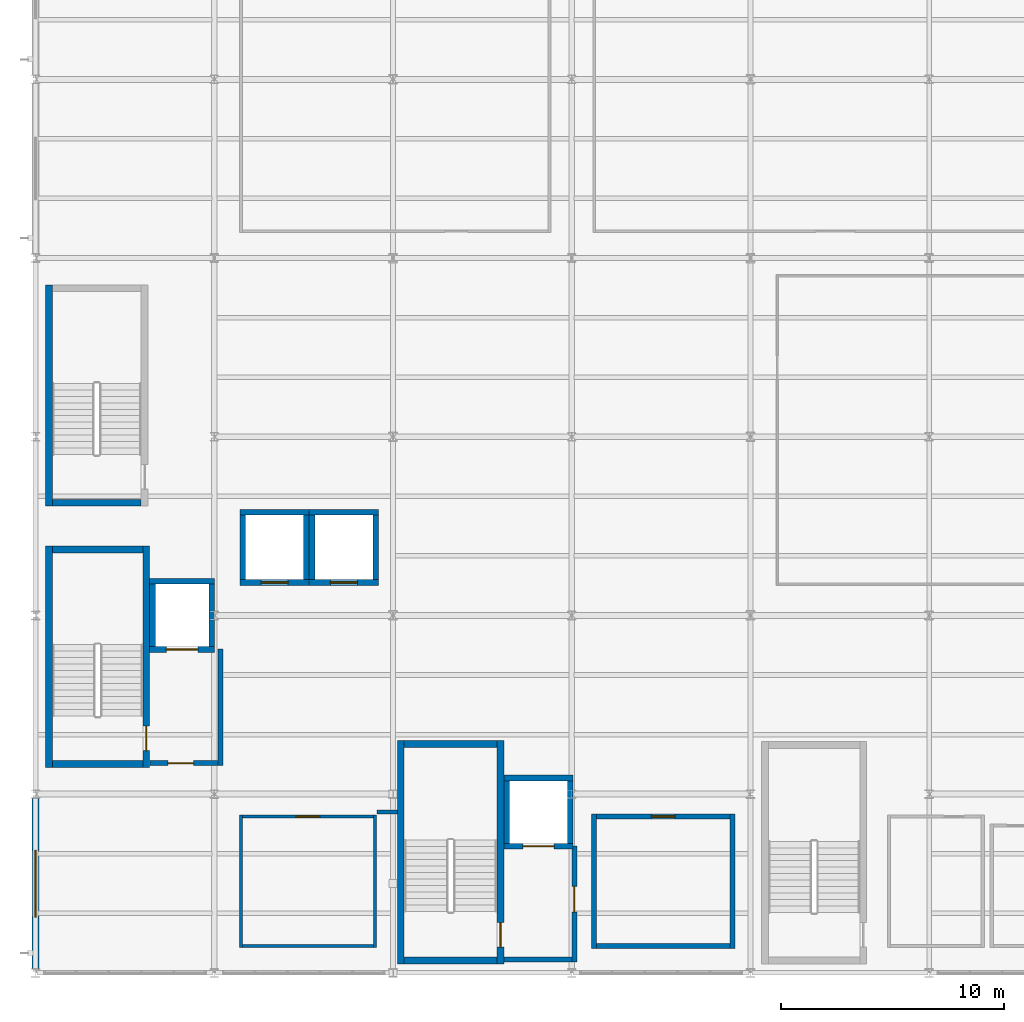
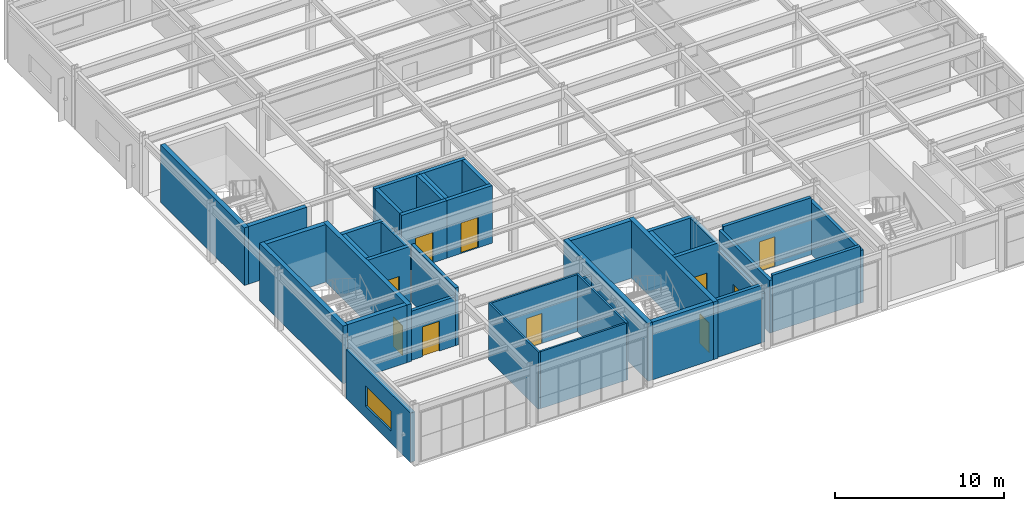
# One storey, part 54 of 83: 40 walls, 10 doors, 1 window, 11 openings.
"""IFC4 building model written with IfcOpenShell, lengths in metres."""

import ifcopenshell
import ifcopenshell.guid

model = None  # the IFC model being written
_history = None  # IfcOwnerHistory: only IFC2X3 demands one
_inside = {}  # id of a spatial element -> (the spatial element, [elements in it])
_under = {}  # id of a project, library or spatial element -> (it, [spatial elements below it])
_declared = {}  # id of a project -> (the project, [libraries it declares])
_typed = {}  # id of a type object -> (the type object, [elements of that type])
_made_of = {}  # id of a material, layer set ... -> (it, [elements and type objects made of it])


def new_model(schema):
    """Start an empty IFC model of exactly this schema.

    Asked for "IFC4X3", IfcOpenShell would pick the latest addendum, in which some entities
    have other attributes; the version numbers below select the first issue.
    IFC2X3 requires an IfcOwnerHistory on every rooted entity: one is made here for all.
    """
    global model, _history
    if schema == "IFC4X3":
        model = ifcopenshell.file(schema_version=(4, 3, 0, 0))
    else:
        model = ifcopenshell.file(schema=schema)
    _inside.clear()
    _under.clear()
    _declared.clear()
    _typed.clear()
    _made_of.clear()
    _history = None
    if model.schema == "IFC2X3":
        org = make("IfcOrganization", Name="unknown")
        user = make(
            "IfcPersonAndOrganization",
            ThePerson=make("IfcPerson", FamilyName="unknown"),
            TheOrganization=org,
        )
        app = make(
            "IfcApplication",
            ApplicationDeveloper=org,
            Version="unknown",
            ApplicationFullName="unknown",
            ApplicationIdentifier="unknown",
        )
        _history = make(
            "IfcOwnerHistory",
            OwningUser=user,
            OwningApplication=app,
            ChangeAction="ADDED",
            CreationDate=0,
        )
    return model


def make(cls, **values):
    """One entity of the class cls with the attributes given. An attribute that is None is left unset."""
    return model.create_entity(
        cls, **{name: value for name, value in values.items() if value is not None}
    )


def rooted(cls, **values):
    """An entity with a GlobalId (a new one), such as an element, a storey or a relation."""
    return make(cls, GlobalId=ifcopenshell.guid.new(), OwnerHistory=_history, **values)


def si_unit(unit_type, name, prefix=None):
    """IfcSIUnit, for example si_unit("LENGTHUNIT", "METRE", prefix="MILLI")."""
    return make("IfcSIUnit", UnitType=unit_type, Prefix=prefix, Name=name)


def assignment(units):
    """IfcUnitAssignment: the units of a project."""
    return None if units is None else make("IfcUnitAssignment", Units=units)


def point(xyz):
    """IfcCartesianPoint."""
    return None if xyz is None else make("IfcCartesianPoint", Coordinates=xyz)


def direction(xyz):
    """IfcDirection."""
    return None if xyz is None else make("IfcDirection", DirectionRatios=xyz)


def frame(location, z_axis=None, x_axis=None):
    """IfcAxis2Placement3D, a coordinate frame: its origin and axes. An axis left out is left unset."""
    return make(
        "IfcAxis2Placement3D",
        Location=point(location),
        Axis=direction(z_axis),
        RefDirection=direction(x_axis),
    )


def frame_2d(location, x_axis=None):
    """IfcAxis2Placement2D, a coordinate frame in the plane: its origin and x axis."""
    return make(
        "IfcAxis2Placement2D", Location=point(location), RefDirection=direction(x_axis)
    )


def origin():
    """The frame at (0, 0, 0) with its axes left unset."""
    return frame((0.0, 0.0, 0.0))


def place(relative_to, where):
    """IfcLocalPlacement: puts the frame where relative to a parent placement (None: the world)."""
    return make(
        "IfcLocalPlacement", PlacementRelTo=relative_to, RelativePlacement=where
    )


def context(
    kind, dimensions, precision=None, world=None, true_north=None, identifier=None
):
    """IfcGeometricRepresentationContext, for example the 3D "Model" context."""
    return make(
        "IfcGeometricRepresentationContext",
        ContextIdentifier=identifier,
        ContextType=kind,
        CoordinateSpaceDimension=dimensions,
        Precision=precision,
        WorldCoordinateSystem=world,
        TrueNorth=true_north,
    )


def subcontext(parent, identifier, kind, view, scale=None):
    """IfcGeometricRepresentationSubContext, for example "Body" below "Model"."""
    return make(
        "IfcGeometricRepresentationSubContext",
        ContextIdentifier=identifier,
        ContextType=kind,
        ParentContext=parent,
        TargetScale=scale,
        TargetView=view,
    )


def project(units=None, contexts=None):
    """IfcProject with its units and contexts."""
    return rooted(
        "IfcProject",
        Name="project",
        RepresentationContexts=contexts,
        UnitsInContext=assignment(units),
    )


def spatial(cls, under=None, at=None, **own):
    """A site, building, storey or space (cls), placed at a placement, below another one or the project."""
    s = rooted(cls, ObjectPlacement=at, **own)
    if under is not None:
        _under.setdefault(under.id(), (under, []))[1].append(s)
    return s


def profile(cls, at=None, kind="AREA", **sizes):
    """A parametric profile (cls). Its sizes go by their IFC names, for example OverallWidth=200.0."""
    return make(cls, ProfileType=kind, Position=at, **sizes)


def rectangle(**sizes):
    """IfcRectangleProfileDef."""
    return profile("IfcRectangleProfileDef", **sizes)


def extrude(swept, where, along, depth):
    """IfcExtrudedAreaSolid: the profile swept, set in the frame where, extruded along a direction by depth."""
    return make(
        "IfcExtrudedAreaSolid",
        SweptArea=swept,
        Position=where,
        ExtrudedDirection=direction(along),
        Depth=depth,
    )


def shape(context_of_items, identifier, shape_type, items):
    """IfcShapeRepresentation: the items that make up one representation, for example the "Body"."""
    return make(
        "IfcShapeRepresentation",
        ContextOfItems=context_of_items,
        RepresentationIdentifier=identifier,
        RepresentationType=shape_type,
        Items=items,
    )


def material(Name=None, Category=None):
    """IfcMaterial."""
    return make("IfcMaterial", Name=Name, Category=Category)


def layer(
    of_material, thickness, ventilated=None, Name=None, Category=None, Priority=None
):
    """IfcMaterialLayer: one layer of a wall or slab, of a material (None: an air gap)."""
    return make(
        "IfcMaterialLayer",
        Material=of_material,
        LayerThickness=thickness,
        IsVentilated=ventilated,
        Name=Name,
        Category=Category,
        Priority=Priority,
    )


def layer_set(layers, Name=None):
    """IfcMaterialLayerSet."""
    return make("IfcMaterialLayerSet", MaterialLayers=layers, LayerSetName=Name)


def made_of(thing, what):
    """Note that an element or type object is made of a material, layer set ...; save() writes the relation."""
    if what is not None:
        _made_of.setdefault(what.id(), (what, []))[1].append(thing)
    return thing


def type_object(cls, material=None, **own):
    """A type object (cls), such as IfcWallType, which elements share."""
    return made_of(rooted(cls, **own), material)


def element(
    cls,
    number,
    at=None,
    inside=None,
    cuts=None,
    type_object=None,
    material=None,
    context=None,
    identifier="Body",
    shape_type=None,
    held_by="IfcProductDefinitionShape",
    body=None,
    shapes=None,
    **own,
):
    """One element of the class cls, such as IfcWall. Its Tag is "e" and its number.

    at: its placement. inside: the storey or other place that contains it. cuts: it is an
    opening in that element (IfcRelVoidsElement). A single representation is given by context,
    identifier, shape_type and body (its items); several are given by shapes. held_by: the class
    of the entity that holds the representations. save() writes the other relations.
    """
    e = rooted(cls, Tag="e%d" % number, ObjectPlacement=at, **own)
    if body is not None:
        shapes = [shape(context, identifier, shape_type, body)]
    if shapes is not None:
        e.Representation = make(held_by, Representations=shapes)
    if inside is not None:
        _inside.setdefault(inside.id(), (inside, []))[1].append(e)
    if cuts is not None:
        rooted(
            "IfcRelVoidsElement", RelatingBuildingElement=cuts, RelatedOpeningElement=e
        )
    if type_object is not None:
        _typed.setdefault(type_object.id(), (type_object, []))[1].append(e)
    return made_of(e, material)


def fill(opening, filler):
    """IfcRelFillsElement: the door or window that sits in an opening."""
    return rooted(
        "IfcRelFillsElement",
        RelatingOpeningElement=opening,
        RelatedBuildingElement=filler,
    )


def aggregate(whole, parts):
    """IfcRelAggregates: a whole, such as a stair, and the parts it consists of."""
    return rooted("IfcRelAggregates", RelatingObject=whole, RelatedObjects=parts)


def save(model, path):
    """Write the relations noted so far, then the file.

    IfcRelAggregates (storeys below a building ...), IfcRelContainedInSpatialStructure (elements
    in a storey), IfcRelDefinesByType, IfcRelAssociatesMaterial and IfcRelDeclares: one each for
    every whole, place, type object, material and project.
    """
    for whole, parts in _under.values():
        aggregate(whole, parts)
    for where, things in _inside.values():
        rooted(
            "IfcRelContainedInSpatialStructure",
            RelatedElements=things,
            RelatingStructure=where,
        )
    for kind, things in _typed.values():
        rooted("IfcRelDefinesByType", RelatedObjects=things, RelatingType=kind)
    for what, things in _made_of.values():
        rooted("IfcRelAssociatesMaterial", RelatedObjects=things, RelatingMaterial=what)
    for by, libraries in _declared.values():
        rooted("IfcRelDeclares", RelatingContext=by, RelatedDefinitions=libraries)
    model.write(path)


model = new_model("IFC4")

# Units and contexts
model_context = context("Model", 3, precision=1e-05, world=origin(), true_north=direction((0.0, 1.0)))
body_context = subcontext(model_context, "Body", "Model", "MODEL_VIEW")
ifc_project = project(units=[si_unit("LENGTHUNIT", "METRE"), si_unit("AREAUNIT", "SQUARE_METRE"), si_unit("VOLUMEUNIT", "CUBIC_METRE"), si_unit("PLANEANGLEUNIT", "RADIAN"), si_unit("MASSUNIT", "GRAM", prefix="KILO")], contexts=[model_context])

# Site, building, storey
site_placement = place(None, origin())
site = spatial("IfcSite", under=ifc_project, at=site_placement, CompositionType="ELEMENT")
building_placement = place(site_placement, origin())
building = spatial("IfcBuilding", under=site, at=building_placement, Name="Drelvath Fold Interchange", CompositionType="ELEMENT")
storey_placement = place(building_placement, frame((0.0, 0.0, 11.199951171875)))
storey = spatial("IfcBuildingStorey", under=building, at=storey_placement, Name="L02", CompositionType="ELEMENT", Elevation=11.199951171875)

# Wall
ifc_material_1 = material(Name="Concrete f'c 45 MPa (6500 psi)", Category="concrete")
ifc_layer_1 = layer(ifc_material_1, 0.300048828125, Name="Concrete f'c 45 MPa (6500 psi)")
ifc_layer_set_1 = layer_set([ifc_layer_1], Name="Concrete f'c 45 MPa (6500 psi)")
wall_type_1 = type_object("IfcWallType", Name="WL-CR300", PredefinedType="SHEAR", material=ifc_layer_set_1)
wall_1_placement = place(storey_placement, frame((4.75, 12.35009765625, 0.0), z_axis=(0.0, 0.0, 1.0), x_axis=(1.0, 0.0, 0.0)))
element("IfcWall", 1, at=wall_1_placement, inside=storey, type_object=wall_type_1, Name="ST-01 L02 south core wall", PredefinedType="SHEAR", context=body_context, shape_type="SweptSolid", body=[
    extrude(rectangle(XDim=4.06005859375, YDim=0.300048828125, at=frame_2d((2.030029296875, 0.0))), origin(), (0.0, 0.0, 1.0), 4.1650390625),
])

# Wall, opening, door
wall_2_placement = place(storey_placement, frame((8.9599609375, 12.199951171875, 0.0), z_axis=(0.0, 0.0, 1.0), x_axis=(0.0, 1.0, 0.0)))
wall_2 = element("IfcWall", 2, at=wall_2_placement, inside=storey, type_object=wall_type_1, Name="ST-01 L02 east core wall", PredefinedType="SHEAR", context=body_context, shape_type="SweptSolid", body=[
    extrude(rectangle(XDim=9.900146484375, YDim=0.300048828125, at=frame_2d((4.9501953125, 0.0))), origin(), (0.0, 0.0, 1.0), 4.1650390625),
])
opening_1_placement = place(wall_2_placement, frame((0.75, 0.0, 0.0)))
opening_1 = element("IfcOpeningElement", 3, at=opening_1_placement, cuts=wall_2, Name="Opening D-L02-005", PredefinedType="OPENING", context=body_context, shape_type="SweptSolid", body=[
    extrude(rectangle(XDim=1.10009765625, YDim=2.14990234375, at=frame_2d((0.550048828125, 1.074951171875))), frame((0.0, 0.159912109375, 0.0), z_axis=(0.0, -1.0, 0.0), x_axis=(1.0, 0.0, 0.0)), (0.0, 0.0, 1.0), 0.320068359375),
])
ifc_material_2 = material(Name="Insulated Hollow Metal Door Assembly")
door_type_1 = type_object("IfcDoorType", Name="DR-ST1100", OperationType="NOTDEFINED", PredefinedType="DOOR", material=ifc_material_2)
door_1_placement = place(opening_1_placement, origin())
door_1 = element("IfcDoor", 4, at=door_1_placement, inside=storey, type_object=door_type_1, Name="ST-01 L02 stair fire door D-L02-005", OperationType="SINGLE_SWING_LEFT", OverallHeight=2.14990234375, OverallWidth=1.10009765625, PredefinedType="DOOR", context=body_context, shape_type="SweptSolid", body=[
    extrude(rectangle(XDim=1.10009765625, YDim=2.14990234375, at=frame_2d((0.550048828125, 1.074951171875))), frame((0.0, 0.02490234375, 0.0), z_axis=(0.0, -1.0, 0.0), x_axis=(1.0, 0.0, 0.0)), (0.0, 0.0, 1.0), 0.050048828125),
])
fill(opening_1, door_1)

# Walls
wall_3_placement = place(storey_placement, frame((8.81005859375, 21.949951171875, 0.0), z_axis=(0.0, 0.0, 1.0), x_axis=(-1.0, 0.0, 0.0)))
element("IfcWall", 5, at=wall_3_placement, inside=storey, type_object=wall_type_1, Name="ST-01 L02 north core wall", PredefinedType="SHEAR", context=body_context, shape_type="SweptSolid", body=[
    extrude(rectangle(XDim=4.06005859375, YDim=0.300048828125, at=frame_2d((2.030029296875, 0.0))), origin(), (0.0, 0.0, 1.0), 4.1650390625),
])
wall_4_placement = place(storey_placement, frame((4.60009765625, 22.10009765625, 0.0), z_axis=(0.0, 0.0, 1.0), x_axis=(0.0, -1.0, 0.0)))
element("IfcWall", 6, at=wall_4_placement, inside=storey, type_object=wall_type_1, Name="ST-01 L02 west core wall", PredefinedType="SHEAR", context=body_context, shape_type="SweptSolid", body=[
    extrude(rectangle(XDim=9.900146484375, YDim=0.300048828125, at=frame_2d((4.9501953125, 0.0))), origin(), (0.0, 0.0, 1.0), 4.1650390625),
])
wall_5_placement = place(storey_placement, frame((4.75, 24.050048828125, 0.0), z_axis=(0.0, 0.0, 1.0), x_axis=(1.0, 0.0, 0.0)))
element("IfcWall", 7, at=wall_5_placement, inside=storey, type_object=wall_type_1, Name="ST-02 L02 south core wall", PredefinedType="SHEAR", context=body_context, shape_type="SweptSolid", body=[
    extrude(rectangle(XDim=3.97998046875, YDim=0.300048828125, at=frame_2d((1.989990234375, 0.0))), origin(), (0.0, 0.0, 1.0), 4.1650390625),
])
wall_6_placement = place(storey_placement, frame((4.60009765625, 33.800048828125, 0.0), z_axis=(0.0, 0.0, 1.0), x_axis=(0.0, -1.0, 0.0)))
element("IfcWall", 8, at=wall_6_placement, inside=storey, type_object=wall_type_1, Name="ST-02 L02 west core wall", PredefinedType="SHEAR", context=body_context, shape_type="SweptSolid", body=[
    extrude(rectangle(XDim=9.900146484375, YDim=0.300048828125, at=frame_2d((4.9501953125, 0.0))), origin(), (0.0, 0.0, 1.0), 4.1650390625),
])
wall_7_placement = place(storey_placement, frame((20.5, 3.550048828125, 0.0), z_axis=(0.0, 0.0, 1.0), x_axis=(1.0, 0.0, 0.0)))
element("IfcWall", 9, at=wall_7_placement, inside=storey, type_object=wall_type_1, Name="ST-03 L02 south core wall", PredefinedType="SHEAR", context=body_context, shape_type="SweptSolid", body=[
    extrude(rectangle(XDim=4.159912109375, YDim=0.300048828125, at=frame_2d((2.080078125, 0.0))), origin(), (0.0, 0.0, 1.0), 4.1650390625),
])

# Wall, opening, door
wall_8_placement = place(storey_placement, frame((24.81005859375, 3.39990234375, 0.0), z_axis=(0.0, 0.0, 1.0), x_axis=(0.0, 1.0, 0.0)))
wall_8 = element("IfcWall", 10, at=wall_8_placement, inside=storey, type_object=wall_type_1, Name="ST-03 L02 east core wall", PredefinedType="SHEAR", context=body_context, shape_type="SweptSolid", body=[
    extrude(rectangle(XDim=10.0, YDim=0.300048828125, at=frame_2d((5.0, 0.0))), origin(), (0.0, 0.0, 1.0), 4.1650390625),
])
opening_2_placement = place(wall_8_placement, frame((0.75, 0.0, 0.0)))
opening_2 = element("IfcOpeningElement", 11, at=opening_2_placement, cuts=wall_8, Name="Opening D-L02-021", PredefinedType="OPENING", context=body_context, shape_type="SweptSolid", body=[
    extrude(rectangle(XDim=1.10009765625, YDim=2.14990234375, at=frame_2d((0.550048828125, 1.074951171875))), frame((0.0, 0.159912109375, 0.0), z_axis=(0.0, -1.0, 0.0), x_axis=(1.0, 0.0, 0.0)), (0.0, 0.0, 1.0), 0.320068359375),
])
door_2_placement = place(opening_2_placement, origin())
door_2 = element("IfcDoor", 12, at=door_2_placement, inside=storey, type_object=door_type_1, Name="ST-03 L02 stair fire door D-L02-021", OperationType="SINGLE_SWING_LEFT", OverallHeight=2.14990234375, OverallWidth=1.10009765625, PredefinedType="DOOR", context=body_context, shape_type="SweptSolid", body=[
    extrude(rectangle(XDim=1.10009765625, YDim=2.14990234375, at=frame_2d((0.550048828125, 1.074951171875))), frame((0.0, 0.02490234375, 0.0), z_axis=(0.0, -1.0, 0.0), x_axis=(1.0, 0.0, 0.0)), (0.0, 0.0, 1.0), 0.050048828125),
])
fill(opening_2, door_2)

# Walls
wall_9_placement = place(storey_placement, frame((24.659912109375, 13.25, 0.0), z_axis=(0.0, 0.0, 1.0), x_axis=(-1.0, 0.0, 0.0)))
element("IfcWall", 13, at=wall_9_placement, inside=storey, type_object=wall_type_1, Name="ST-03 L02 north core wall", PredefinedType="SHEAR", context=body_context, shape_type="SweptSolid", body=[
    extrude(rectangle(XDim=4.159912109375, YDim=0.300048828125, at=frame_2d((2.080078125, 0.0))), origin(), (0.0, 0.0, 1.0), 4.1650390625),
])
wall_10_placement = place(storey_placement, frame((20.35009765625, 13.39990234375, 0.0), z_axis=(0.0, 0.0, 1.0), x_axis=(0.0, -1.0, 0.0)))
element("IfcWall", 14, at=wall_10_placement, inside=storey, type_object=wall_type_1, Name="ST-03 L02 west core wall", PredefinedType="SHEAR", context=body_context, shape_type="SweptSolid", body=[
    extrude(rectangle(XDim=10.0, YDim=0.300048828125, at=frame_2d((5.0, 0.0))), origin(), (0.0, 0.0, 1.0), 4.1650390625),
])

# Wall, opening, window
ifc_material_3 = material(Name="Precast concrete f'c 40 MPa (6000 psi)", Category="concrete")
ifc_layer_2 = layer(ifc_material_3, 0.31494140625, Name="Precast concrete f'c 40 MPa (6000 psi)")
ifc_layer_set_2 = layer_set([ifc_layer_2], Name="Precast concrete f'c 40 MPa (6000 psi)")
wall_type_2 = type_object("IfcWallType", Name="WL-EXT315", PredefinedType="SOLIDWALL", material=ifc_layer_set_2)
wall_11_placement = place(storey_placement, frame((4.0, 3.19189453125, 0.0), z_axis=(0.0, 0.0, 1.0), x_axis=(0.0, 1.0, 0.0)))
wall_11 = element("IfcWall", 15, at=wall_11_placement, inside=storey, type_object=wall_type_2, Name="L02 exterior facade wall 59", PredefinedType="SOLIDWALL", context=body_context, shape_type="SweptSolid", body=[
    extrude(rectangle(XDim=7.614990234375, YDim=0.31494140625, at=frame_2d((3.8076171875, 0.0))), origin(), (0.0, 0.0, 1.0), 3.550048828125),
])
opening_3_placement = place(wall_11_placement, frame((2.30810546875, 0.0, 0.85009765625)))
opening_3 = element("IfcOpeningElement", 16, at=opening_3_placement, cuts=wall_11, Name="Opening W-L02-053", PredefinedType="OPENING", context=body_context, shape_type="SweptSolid", body=[
    extrude(rectangle(XDim=3.0, YDim=1.449951171875, at=frame_2d((1.5, 0.72509765625))), frame((0.0, 0.16748046875, 0.0), z_axis=(0.0, -1.0, 0.0), x_axis=(1.0, 0.0, 0.0)), (0.0, 0.0, 1.0), 0.3349609375),
])
ifc_material_4 = material(Name="Low-Iron Insulated Laminated Glass", Category="glass")
window_type = type_object("IfcWindowType", Name="WN-300x145", PartitioningType="TRIPLE_PANEL_VERTICAL", PredefinedType="WINDOW", material=ifc_material_4)
window_placement = place(opening_3_placement, origin())
window = element("IfcWindow", 17, at=window_placement, inside=storey, type_object=window_type, Name="Facade window W-L02-053", OverallHeight=1.449951171875, OverallWidth=3.0, PartitioningType="SINGLE_PANEL", PredefinedType="WINDOW", context=body_context, shape_type="SweptSolid", body=[
    extrude(rectangle(XDim=3.0, YDim=1.449951171875, at=frame_2d((1.5, 0.72509765625))), frame((0.0, 0.030029296875, 0.0), z_axis=(0.0, -1.0, 0.0), x_axis=(1.0, 0.0, 0.0)), (0.0, 0.0, 1.0), 0.06005859375),
])
fill(opening_3, window)

# Wall, opening, door
ifc_layer_3 = layer(ifc_material_1, 0.219970703125, Name="Concrete f'c 45 MPa (6500 psi)")
ifc_layer_set_3 = layer_set([ifc_layer_3], Name="Concrete f'c 45 MPa (6500 psi)")
wall_type_3 = type_object("IfcWallType", Name="WL-FF220", PredefinedType="SOLIDWALL", material=ifc_layer_set_3)
wall_12_placement = place(storey_placement, frame((9.1201171875, 12.389892578125, 0.0), z_axis=(0.0, 0.0, 1.0), x_axis=(1.0, 0.0, 0.0)))
wall_12 = element("IfcWall", 18, at=wall_12_placement, inside=storey, type_object=wall_type_3, Name="Firefighting Lift Lobby FF-1 L02 south rated wall", PredefinedType="SOLIDWALL", context=body_context, shape_type="SweptSolid", body=[
    extrude(rectangle(XDim=3.039794921875, YDim=0.219970703125, at=frame_2d((1.52001953125, 0.0))), origin(), (0.0, 0.0, 1.0), 3.547119140625),
])
opening_4_placement = place(wall_12_placement, frame((0.804931640625, 0.0, 0.0)))
opening_4 = element("IfcOpeningElement", 19, at=opening_4_placement, cuts=wall_12, Name="Opening D-L02-052", PredefinedType="OPENING", context=body_context, shape_type="SweptSolid", body=[
    extrude(rectangle(XDim=1.14990234375, YDim=2.14990234375, at=frame_2d((0.574951171875, 1.074951171875))), frame((0.0, 0.119873046875, 0.0), z_axis=(0.0, -1.0, 0.0), x_axis=(1.0, 0.0, 0.0)), (0.0, 0.0, 1.0), 0.239990234375),
])
door_type_2 = type_object("IfcDoorType", Name="DR-FF1150", OperationType="NOTDEFINED", PredefinedType="DOOR", material=ifc_material_2)
door_3_placement = place(opening_4_placement, frame((1.14990234375, 0.0, 0.0), z_axis=(0.0, 0.0, 1.0), x_axis=(-1.0, 0.0, 0.0)))
door_3 = element("IfcDoor", 20, at=door_3_placement, inside=storey, type_object=door_type_2, Name="Firefighting Lift Lobby FF-1 L02 corridor fire door D-L02-052", OperationType="SINGLE_SWING_RIGHT", OverallHeight=2.14990234375, OverallWidth=1.14990234375, PredefinedType="DOOR", context=body_context, shape_type="SweptSolid", body=[
    extrude(rectangle(XDim=1.14990234375, YDim=2.14990234375, at=frame_2d((0.574951171875, 1.074951171875))), frame((0.0, 0.02490234375, 0.0), z_axis=(0.0, -1.0, 0.0), x_axis=(1.0, 0.0, 0.0)), (0.0, 0.0, 1.0), 0.050048828125),
])
fill(opening_4, door_3)

# Walls
wall_13_placement = place(storey_placement, frame((12.27001953125, 12.280029296875, 0.0), z_axis=(0.0, 0.0, 1.0), x_axis=(0.0, 1.0, 0.0)))
element("IfcWall", 21, at=wall_13_placement, inside=storey, type_object=wall_type_3, Name="Firefighting Lift Lobby FF-1 L02 east rated wall", PredefinedType="SOLIDWALL", context=body_context, shape_type="SweptSolid", body=[
    extrude(rectangle(XDim=5.2099609375, YDim=0.219970703125, at=frame_2d((2.60498046875, 0.0))), origin(), (0.0, 0.0, 1.0), 4.1650390625),
])
wall_14_placement = place(storey_placement, frame((24.969970703125, 3.590087890625, 0.0), z_axis=(0.0, 0.0, 1.0), x_axis=(1.0, 0.0, 0.0)))
element("IfcWall", 22, at=wall_14_placement, inside=storey, type_object=wall_type_3, Name="Firefighting Lift Lobby FF-2 L02 south rated wall", PredefinedType="SOLIDWALL", context=body_context, shape_type="SweptSolid", body=[
    extrude(rectangle(XDim=3.0400390625, YDim=0.219970703125, at=frame_2d((1.52001953125, 0.0))), origin(), (0.0, 0.0, 1.0), 4.1650390625),
])

# Wall, opening, door
wall_15_placement = place(storey_placement, frame((28.1201171875, 3.47998046875, 0.0), z_axis=(0.0, 0.0, 1.0), x_axis=(0.0, 1.0, 0.0)))
wall_15 = element("IfcWall", 23, at=wall_15_placement, inside=storey, type_object=wall_type_3, Name="Firefighting Lift Lobby FF-2 L02 east rated wall", PredefinedType="SOLIDWALL", context=body_context, shape_type="SweptSolid", body=[
    extrude(rectangle(XDim=5.2099609375, YDim=0.219970703125, at=frame_2d((2.60498046875, 0.0))), origin(), (0.0, 0.0, 1.0), 3.547119140625),
])
opening_5_placement = place(wall_15_placement, frame((2.2451171875, 0.0, 0.0)))
opening_5 = element("IfcOpeningElement", 24, at=opening_5_placement, cuts=wall_15, Name="Opening D-L02-060", PredefinedType="OPENING", context=body_context, shape_type="SweptSolid", body=[
    extrude(rectangle(XDim=1.14990234375, YDim=2.14990234375, at=frame_2d((0.574951171875, 1.074951171875))), frame((0.0, 0.119873046875, 0.0), z_axis=(0.0, -1.0, 0.0), x_axis=(1.0, 0.0, 0.0)), (0.0, 0.0, 1.0), 0.239990234375),
])
door_4_placement = place(opening_5_placement, origin())
door_4 = element("IfcDoor", 25, at=door_4_placement, inside=storey, type_object=door_type_2, Name="Firefighting Lift Lobby FF-2 L02 corridor fire door D-L02-060", OperationType="SINGLE_SWING_RIGHT", OverallHeight=2.14990234375, OverallWidth=1.14990234375, PredefinedType="DOOR", context=body_context, shape_type="SweptSolid", body=[
    extrude(rectangle(XDim=1.14990234375, YDim=2.14990234375, at=frame_2d((0.574951171875, 1.074951171875))), frame((0.0, 0.02490234375, 0.0), z_axis=(0.0, -1.0, 0.0), x_axis=(1.0, 0.0, 0.0)), (0.0, 0.0, 1.0), 0.050048828125),
])
fill(opening_5, door_4)

# Walls
ifc_material_5 = material(Name="Fire-Rated Gypsum Board Assembly")
ifc_layer_4 = layer(ifc_material_5, 0.179931640625, Name="Fire-Rated Gypsum Board Assembly")
ifc_layer_set_4 = layer_set([ifc_layer_4], Name="Fire-Rated Gypsum Board Assembly")
wall_type_4 = type_object("IfcWallType", Name="WL-FR180", PredefinedType="PARTITIONING", material=ifc_layer_set_4)
wall_16_placement = place(storey_placement, frame((19.2900390625, 10.199951171875, 0.0), z_axis=(0.0, 0.0, 1.0), x_axis=(1.0, 0.0, 0.0)))
element("IfcWall", 26, at=wall_16_placement, inside=storey, type_object=wall_type_4, Name="L02 braced frame shaft closure partition", PredefinedType="PARTITIONING", context=body_context, shape_type="SweptSolid", body=[
    extrude(rectangle(XDim=0.909912109375, YDim=0.179931640625, at=frame_2d((0.455078125, 0.0))), origin(), (0.0, 0.0, 1.0), 3.547119140625),
])
ifc_material_6 = material(Name="Concrete f'c 35 MPa (5000 psi)", Category="concrete")
ifc_layer_5 = layer(ifc_material_6, 0.2099609375, Name="Concrete f'c 35 MPa (5000 psi)")
ifc_layer_set_5 = layer_set([ifc_layer_5], Name="Concrete f'c 35 MPa (5000 psi)")
wall_type_5 = type_object("IfcWallType", Name="WL-FR210", PredefinedType="SOLIDWALL", material=ifc_layer_set_5)
wall_17_placement = place(storey_placement, frame((29.10498046875, 4.199951171875, 0.0), z_axis=(0.0, 0.0, 1.0), x_axis=(1.0, 0.0, 0.0)))
element("IfcWall", 27, at=wall_17_placement, inside=storey, type_object=wall_type_5, Name="Technical Records Archive S partition", PredefinedType="SOLIDWALL", context=body_context, shape_type="SweptSolid", body=[
    extrude(rectangle(XDim=5.989990234375, YDim=0.2099609375, at=frame_2d((2.9951171875, 0.0))), origin(), (0.0, 0.0, 1.0), 4.1201171875),
])
wall_18_placement = place(storey_placement, frame((35.199951171875, 4.094970703125, 0.0), z_axis=(0.0, 0.0, 1.0), x_axis=(0.0, 1.0, 0.0)))
element("IfcWall", 28, at=wall_18_placement, inside=storey, type_object=wall_type_5, Name="Technical Records Archive E partition", PredefinedType="SOLIDWALL", context=body_context, shape_type="SweptSolid", body=[
    extrude(rectangle(XDim=6.010009765625, YDim=0.2099609375, at=frame_2d((3.0048828125, 0.0))), origin(), (0.0, 0.0, 1.0), 3.81103515625),
])

# Wall, opening, door
wall_19_placement = place(storey_placement, frame((35.094970703125, 10.0, 0.0), z_axis=(0.0, 0.0, 1.0), x_axis=(-1.0, 0.0, 0.0)))
wall_19 = element("IfcWall", 29, at=wall_19_placement, inside=storey, type_object=wall_type_5, Name="Technical Records Archive N partition", PredefinedType="SOLIDWALL", context=body_context, shape_type="SweptSolid", body=[
    extrude(rectangle(XDim=5.989990234375, YDim=0.2099609375, at=frame_2d((2.9951171875, 0.0))), origin(), (0.0, 0.0, 1.0), 4.1201171875),
])
opening_6_placement = place(wall_19_placement, frame((2.465087890625, 0.0, 0.0)))
opening_6 = element("IfcOpeningElement", 30, at=opening_6_placement, cuts=wall_19, Name="Opening D-L02-115", PredefinedType="OPENING", context=body_context, shape_type="SweptSolid", body=[
    extrude(rectangle(XDim=1.06005859375, YDim=2.159912109375, at=frame_2d((0.530029296875, 1.080078125))), frame((0.0, 0.114990234375, 0.0), z_axis=(0.0, -1.0, 0.0), x_axis=(1.0, 0.0, 0.0)), (0.0, 0.0, 1.0), 0.22998046875),
])
door_type_3 = type_object("IfcDoorType", Name="DR-FD106", OperationType="NOTDEFINED", PredefinedType="DOOR", material=ifc_material_2)
door_5_placement = place(opening_6_placement, origin())
door_5 = element("IfcDoor", 31, at=door_5_placement, inside=storey, type_object=door_type_3, Name="Technical Records Archive door D-L02-115", OperationType="SINGLE_SWING_RIGHT", OverallHeight=2.159912109375, OverallWidth=1.06005859375, PredefinedType="DOOR", context=body_context, shape_type="SweptSolid", body=[
    extrude(rectangle(XDim=1.06005859375, YDim=2.159912109375, at=frame_2d((0.530029296875, 1.080078125))), frame((0.0, 0.02490234375, 0.0), z_axis=(0.0, -1.0, 0.0), x_axis=(1.0, 0.0, 0.0)), (0.0, 0.0, 1.0), 0.050048828125),
])
fill(opening_6, door_5)

# Walls
wall_20_placement = place(storey_placement, frame((29.0, 10.10498046875, 0.0), z_axis=(0.0, 0.0, 1.0), x_axis=(0.0, -1.0, 0.0)))
element("IfcWall", 32, at=wall_20_placement, inside=storey, type_object=wall_type_5, Name="Technical Records Archive W partition", PredefinedType="SOLIDWALL", context=body_context, shape_type="SweptSolid", body=[
    extrude(rectangle(XDim=6.010009765625, YDim=0.2099609375, at=frame_2d((3.0048828125, 0.0))), origin(), (0.0, 0.0, 1.0), 3.81103515625),
])
ifc_material_7 = material(Name="Acoustic Gypsum Board Partition Assembly")
ifc_layer_6 = layer(ifc_material_7, 0.1298828125, Name="Acoustic Gypsum Board Partition Assembly")
ifc_layer_set_6 = layer_set([ifc_layer_6], Name="Acoustic Gypsum Board Partition Assembly")
wall_type_6 = type_object("IfcWallType", Name="WL-PT130", PredefinedType="PARTITIONING", material=ifc_layer_set_6)
wall_21_placement = place(storey_placement, frame((13.264892578125, 4.199951171875, 0.0), z_axis=(0.0, 0.0, 1.0), x_axis=(1.0, 0.0, 0.0)))
element("IfcWall", 33, at=wall_21_placement, inside=storey, type_object=wall_type_6, Name="Bus Surface Dispatch Office S partition", PredefinedType="PARTITIONING", context=body_context, shape_type="SweptSolid", body=[
    extrude(rectangle(XDim=5.8701171875, YDim=0.1298828125, at=frame_2d((2.93505859375, 0.0))), origin(), (0.0, 0.0, 1.0), 4.1201171875),
])
wall_22_placement = place(storey_placement, frame((19.199951171875, 4.135009765625, 0.0), z_axis=(0.0, 0.0, 1.0), x_axis=(0.0, 1.0, 0.0)))
element("IfcWall", 34, at=wall_22_placement, inside=storey, type_object=wall_type_6, Name="Bus Surface Dispatch Office E partition", PredefinedType="PARTITIONING", context=body_context, shape_type="SweptSolid", body=[
    extrude(rectangle(XDim=5.929931640625, YDim=0.1298828125, at=frame_2d((2.96484375, 0.0))), origin(), (0.0, 0.0, 1.0), 4.1201171875),
])

# Wall, opening, door
wall_23_placement = place(storey_placement, frame((19.135009765625, 10.0, 0.0), z_axis=(0.0, 0.0, 1.0), x_axis=(-1.0, 0.0, 0.0)))
wall_23 = element("IfcWall", 35, at=wall_23_placement, inside=storey, type_object=wall_type_6, Name="Bus Surface Dispatch Office N partition", PredefinedType="PARTITIONING", context=body_context, shape_type="SweptSolid", body=[
    extrude(rectangle(XDim=5.8701171875, YDim=0.1298828125, at=frame_2d((2.93505859375, 0.0))), origin(), (0.0, 0.0, 1.0), 4.1201171875),
])
opening_7_placement = place(wall_23_placement, frame((2.4150390625, 0.0, 0.0)))
opening_7 = element("IfcOpeningElement", 36, at=opening_7_placement, cuts=wall_23, Name="Opening D-L02-114", PredefinedType="OPENING", context=body_context, shape_type="SweptSolid", body=[
    extrude(rectangle(XDim=1.0400390625, YDim=2.159912109375, at=frame_2d((0.52001953125, 1.080078125))), frame((0.0, 0.074951171875, 0.0), z_axis=(0.0, -1.0, 0.0), x_axis=(1.0, 0.0, 0.0)), (0.0, 0.0, 1.0), 0.14990234375),
])
ifc_material_8 = material(Name="Anodized Aluminium Glazed Door Assembly", Category="aluminium")
door_type_4 = type_object("IfcDoorType", Name="DR-NR104", OperationType="NOTDEFINED", PredefinedType="DOOR", material=ifc_material_8)
door_6_placement = place(opening_7_placement, origin())
door_6 = element("IfcDoor", 37, at=door_6_placement, inside=storey, type_object=door_type_4, Name="Bus Surface Dispatch Office door D-L02-114", OperationType="SINGLE_SWING_LEFT", OverallHeight=2.159912109375, OverallWidth=1.0400390625, PredefinedType="DOOR", context=body_context, shape_type="SweptSolid", body=[
    extrude(rectangle(XDim=1.0400390625, YDim=2.159912109375, at=frame_2d((0.52001953125, 1.080078125))), frame((0.0, 0.02490234375, 0.0), z_axis=(0.0, -1.0, 0.0), x_axis=(1.0, 0.0, 0.0)), (0.0, 0.0, 1.0), 0.050048828125),
])
fill(opening_7, door_6)

# Wall
wall_24_placement = place(storey_placement, frame((13.199951171875, 10.06494140625, 0.0), z_axis=(0.0, 0.0, 1.0), x_axis=(0.0, -1.0, 0.0)))
element("IfcWall", 38, at=wall_24_placement, inside=storey, type_object=wall_type_6, Name="Bus Surface Dispatch Office W partition", PredefinedType="PARTITIONING", context=body_context, shape_type="SweptSolid", body=[
    extrude(rectangle(XDim=5.929931640625, YDim=0.1298828125, at=frame_2d((2.96484375, 0.0))), origin(), (0.0, 0.0, 1.0), 4.1201171875),
])

# Wall, opening, door
ifc_layer_7 = layer(ifc_material_1, 0.25, Name="Concrete f'c 45 MPa (6500 psi)")
ifc_layer_set_7 = layer_set([ifc_layer_7], Name="Concrete f'c 45 MPa (6500 psi)")
wall_type_7 = type_object("IfcWallType", Name="WL-SH250", PredefinedType="SOLIDWALL", material=ifc_layer_set_7)
wall_25_placement = place(storey_placement, frame((9.110107421875, 17.47509765625, 0.0), z_axis=(0.0, 0.0, 1.0), x_axis=(1.0, 0.0, 0.0)))
wall_25 = element("IfcWall", 39, at=wall_25_placement, inside=storey, type_object=wall_type_7, Name="LF-FF1 L02 south shaft wall", PredefinedType="SOLIDWALL", context=body_context, shape_type="SweptSolid", body=[
    extrude(rectangle(XDim=2.89990234375, YDim=0.25, at=frame_2d((1.449951171875, 0.0))), origin(), (0.0, 0.0, 1.0), 4.1650390625),
])
opening_8_placement = place(wall_25_placement, frame((0.75, 0.0, 0.0)))
opening_8 = element("IfcOpeningElement", 40, at=opening_8_placement, cuts=wall_25, Name="Opening LD-LF-FF1-L02", PredefinedType="OPENING", context=body_context, shape_type="SweptSolid", body=[
    extrude(rectangle(XDim=1.39990234375, YDim=2.25, at=frame_2d((0.699951171875, 1.125))), frame((0.0, 0.135009765625, 0.0), z_axis=(0.0, -1.0, 0.0), x_axis=(1.0, 0.0, 0.0)), (0.0, 0.0, 1.0), 0.27001953125),
])
door_type_5 = type_object("IfcDoorType", Name="DR-LD1400", OperationType="DOUBLE_DOOR_SLIDING", PredefinedType="DOOR", material=ifc_material_2)
door_7_placement = place(opening_8_placement, frame((1.39990234375, 0.0, 0.0), z_axis=(0.0, 0.0, 1.0), x_axis=(-1.0, 0.0, 0.0)))
door_7 = element("IfcDoor", 41, at=door_7_placement, inside=storey, type_object=door_type_5, Name="LF-FF1 L02 lift landing sliding door LD-LF-FF1-L02", OperationType="DOUBLE_DOOR_SLIDING", OverallHeight=2.25, OverallWidth=1.39990234375, PredefinedType="DOOR", context=body_context, shape_type="SweptSolid", body=[
    extrude(rectangle(XDim=1.39990234375, YDim=2.25, at=frame_2d((0.699951171875, 1.125))), frame((0.0, 0.02490234375, 0.0), z_axis=(0.0, -1.0, 0.0), x_axis=(1.0, 0.0, 0.0)), (0.0, 0.0, 1.0), 0.050048828125),
])
fill(opening_8, door_7)

# Walls
wall_26_placement = place(storey_placement, frame((12.010009765625, 20.52490234375, 0.0), z_axis=(0.0, 0.0, 1.0), x_axis=(-1.0, 0.0, 0.0)))
element("IfcWall", 42, at=wall_26_placement, inside=storey, type_object=wall_type_7, Name="LF-FF1 L02 north shaft wall", PredefinedType="SOLIDWALL", context=body_context, shape_type="SweptSolid", body=[
    extrude(rectangle(XDim=2.89990234375, YDim=0.25, at=frame_2d((1.449951171875, 0.0))), origin(), (0.0, 0.0, 1.0), 4.1650390625),
])
for number, where, z_axis, x_axis, name in (
    (43, (11.885009765625, 17.60009765625, 0.0), (0.0, 0.0, 1.0), (0.0, 1.0, 0.0), "LF-FF1 L02 east shaft wall"),
    (44, (9.235107421875, 20.39990234375, 0.0), (0.0, 0.0, 1.0), (0.0, -1.0, 0.0), "LF-FF1 L02 west shaft wall"),
):
    element("IfcWall", number, at=place(storey_placement, frame(where, z_axis=z_axis, x_axis=x_axis)), inside=storey, type_object=wall_type_7, Name=name, PredefinedType="SOLIDWALL", context=body_context, shape_type="SweptSolid", body=[
        extrude(rectangle(XDim=2.7998046875, YDim=0.25, at=frame_2d((1.39990234375, 0.0))), origin(), (0.0, 0.0, 1.0), 4.1650390625),
    ])

# Wall, opening, door
wall_27_placement = place(storey_placement, frame((24.9599609375, 8.675048828125, 0.0), z_axis=(0.0, 0.0, 1.0), x_axis=(1.0, 0.0, 0.0)))
wall_27 = element("IfcWall", 45, at=wall_27_placement, inside=storey, type_object=wall_type_7, Name="LF-FF2 L02 south shaft wall", PredefinedType="SOLIDWALL", context=body_context, shape_type="SweptSolid", body=[
    extrude(rectangle(XDim=3.10009765625, YDim=0.25, at=frame_2d((1.550048828125, 0.0))), origin(), (0.0, 0.0, 1.0), 4.1650390625),
])
opening_9_placement = place(wall_27_placement, frame((0.85009765625, 0.0, 0.0)))
opening_9 = element("IfcOpeningElement", 46, at=opening_9_placement, cuts=wall_27, Name="Opening LD-LF-FF2-L02", PredefinedType="OPENING", context=body_context, shape_type="SweptSolid", body=[
    extrude(rectangle(XDim=1.39990234375, YDim=2.25, at=frame_2d((0.699951171875, 1.125))), frame((0.0, 0.135009765625, 0.0), z_axis=(0.0, -1.0, 0.0), x_axis=(1.0, 0.0, 0.0)), (0.0, 0.0, 1.0), 0.27001953125),
])
door_8_placement = place(opening_9_placement, frame((1.39990234375, 0.0, 0.0), z_axis=(0.0, 0.0, 1.0), x_axis=(-1.0, 0.0, 0.0)))
door_8 = element("IfcDoor", 47, at=door_8_placement, inside=storey, type_object=door_type_5, Name="LF-FF2 L02 lift landing sliding door LD-LF-FF2-L02", OperationType="DOUBLE_DOOR_SLIDING", OverallHeight=2.25, OverallWidth=1.39990234375, PredefinedType="DOOR", context=body_context, shape_type="SweptSolid", body=[
    extrude(rectangle(XDim=1.39990234375, YDim=2.25, at=frame_2d((0.699951171875, 1.125))), frame((0.0, 0.02490234375, 0.0), z_axis=(0.0, -1.0, 0.0), x_axis=(1.0, 0.0, 0.0)), (0.0, 0.0, 1.0), 0.050048828125),
])
fill(opening_9, door_8)

# Walls
wall_28_placement = place(storey_placement, frame((28.06005859375, 11.72509765625, 0.0), z_axis=(0.0, 0.0, 1.0), x_axis=(-1.0, 0.0, 0.0)))
element("IfcWall", 48, at=wall_28_placement, inside=storey, type_object=wall_type_7, Name="LF-FF2 L02 north shaft wall", PredefinedType="SOLIDWALL", context=body_context, shape_type="SweptSolid", body=[
    extrude(rectangle(XDim=3.10009765625, YDim=0.25, at=frame_2d((1.550048828125, 0.0))), origin(), (0.0, 0.0, 1.0), 4.1650390625),
])
for number, where, z_axis, x_axis, name in (
    (49, (27.93505859375, 8.800048828125, 0.0), (0.0, 0.0, 1.0), (0.0, 1.0, 0.0), "LF-FF2 L02 east shaft wall"),
    (50, (25.0849609375, 11.60009765625, 0.0), (0.0, 0.0, 1.0), (0.0, -1.0, 0.0), "LF-FF2 L02 west shaft wall"),
):
    element("IfcWall", number, at=place(storey_placement, frame(where, z_axis=z_axis, x_axis=x_axis)), inside=storey, type_object=wall_type_7, Name=name, PredefinedType="SOLIDWALL", context=body_context, shape_type="SweptSolid", body=[
        extrude(rectangle(XDim=2.800048828125, YDim=0.25, at=frame_2d((1.39990234375, 0.0))), origin(), (0.0, 0.0, 1.0), 4.1650390625),
    ])

# Wall, opening, door
wall_29_placement = place(storey_placement, frame((13.14990234375, 20.47509765625, 0.0), z_axis=(0.0, 0.0, 1.0), x_axis=(1.0, 0.0, 0.0)))
wall_29 = element("IfcWall", 51, at=wall_29_placement, inside=storey, type_object=wall_type_7, Name="LF-01 L02 south shaft wall", PredefinedType="SOLIDWALL", context=body_context, shape_type="SweptSolid", body=[
    extrude(rectangle(XDim=3.10009765625, YDim=0.25, at=frame_2d((1.550048828125, 0.0))), origin(), (0.0, 0.0, 1.0), 4.1650390625),
])
opening_10_placement = place(wall_29_placement, frame((0.949951171875, 0.0, 0.0)))
opening_10 = element("IfcOpeningElement", 52, at=opening_10_placement, cuts=wall_29, Name="Opening LD-LF-01-L02", PredefinedType="OPENING", context=body_context, shape_type="SweptSolid", body=[
    extrude(rectangle(XDim=1.199951171875, YDim=2.199951171875, at=frame_2d((0.60009765625, 1.10009765625))), frame((0.0, 0.135009765625, 0.0), z_axis=(0.0, -1.0, 0.0), x_axis=(1.0, 0.0, 0.0)), (0.0, 0.0, 1.0), 0.27001953125),
])
door_type_6 = type_object("IfcDoorType", Name="DR-LD1200", OperationType="DOUBLE_DOOR_SLIDING", PredefinedType="DOOR", material=ifc_material_2)
door_9_placement = place(opening_10_placement, frame((1.199951171875, 0.0, 0.0), z_axis=(0.0, 0.0, 1.0), x_axis=(-1.0, 0.0, 0.0)))
door_9 = element("IfcDoor", 53, at=door_9_placement, inside=storey, type_object=door_type_6, Name="LF-01 L02 lift landing sliding door LD-LF-01-L02", OperationType="DOUBLE_DOOR_SLIDING", OverallHeight=2.199951171875, OverallWidth=1.199951171875, PredefinedType="DOOR", context=body_context, shape_type="SweptSolid", body=[
    extrude(rectangle(XDim=1.199951171875, YDim=2.199951171875, at=frame_2d((0.60009765625, 1.10009765625))), frame((0.0, 0.02490234375, 0.0), z_axis=(0.0, -1.0, 0.0), x_axis=(1.0, 0.0, 0.0)), (0.0, 0.0, 1.0), 0.050048828125),
])
fill(opening_10, door_9)

# Walls
wall_30_placement = place(storey_placement, frame((16.25, 23.625, 0.0), z_axis=(0.0, 0.0, 1.0), x_axis=(-1.0, 0.0, 0.0)))
element("IfcWall", 54, at=wall_30_placement, inside=storey, type_object=wall_type_7, Name="LF-01 L02 north shaft wall", PredefinedType="SOLIDWALL", context=body_context, shape_type="SweptSolid", body=[
    extrude(rectangle(XDim=3.10009765625, YDim=0.25, at=frame_2d((1.550048828125, 0.0))), origin(), (0.0, 0.0, 1.0), 4.1650390625),
])
for number, where, z_axis, x_axis, name in (
    (55, (16.125, 20.60009765625, 0.0), (0.0, 0.0, 1.0), (0.0, 1.0, 0.0), "LF-01 L02 east shaft wall"),
    (56, (13.27490234375, 23.5, 0.0), (0.0, 0.0, 1.0), (0.0, -1.0, 0.0), "LF-01 L02 west shaft wall"),
):
    element("IfcWall", number, at=place(storey_placement, frame(where, z_axis=z_axis, x_axis=x_axis)), inside=storey, type_object=wall_type_7, Name=name, PredefinedType="SOLIDWALL", context=body_context, shape_type="SweptSolid", body=[
        extrude(rectangle(XDim=2.89990234375, YDim=0.25, at=frame_2d((1.449951171875, 0.0))), origin(), (0.0, 0.0, 1.0), 4.1650390625),
    ])

# Wall, opening, door
wall_31_placement = place(storey_placement, frame((16.25, 20.47509765625, 0.0), z_axis=(0.0, 0.0, 1.0), x_axis=(1.0, 0.0, 0.0)))
wall_31 = element("IfcWall", 57, at=wall_31_placement, inside=storey, type_object=wall_type_7, Name="LF-02 L02 south shaft wall", PredefinedType="SOLIDWALL", context=body_context, shape_type="SweptSolid", body=[
    extrude(rectangle(XDim=3.10009765625, YDim=0.25, at=frame_2d((1.550048828125, 0.0))), origin(), (0.0, 0.0, 1.0), 4.1650390625),
])
opening_11_placement = place(wall_31_placement, frame((0.949951171875, 0.0, 0.0)))
opening_11 = element("IfcOpeningElement", 58, at=opening_11_placement, cuts=wall_31, Name="Opening LD-LF-02-L02", PredefinedType="OPENING", context=body_context, shape_type="SweptSolid", body=[
    extrude(rectangle(XDim=1.199951171875, YDim=2.199951171875, at=frame_2d((0.60009765625, 1.10009765625))), frame((0.0, 0.135009765625, 0.0), z_axis=(0.0, -1.0, 0.0), x_axis=(1.0, 0.0, 0.0)), (0.0, 0.0, 1.0), 0.27001953125),
])
door_10_placement = place(opening_11_placement, frame((1.199951171875, 0.0, 0.0), z_axis=(0.0, 0.0, 1.0), x_axis=(-1.0, 0.0, 0.0)))
door_10 = element("IfcDoor", 59, at=door_10_placement, inside=storey, type_object=door_type_6, Name="LF-02 L02 lift landing sliding door LD-LF-02-L02", OperationType="DOUBLE_DOOR_SLIDING", OverallHeight=2.199951171875, OverallWidth=1.199951171875, PredefinedType="DOOR", context=body_context, shape_type="SweptSolid", body=[
    extrude(rectangle(XDim=1.199951171875, YDim=2.199951171875, at=frame_2d((0.60009765625, 1.10009765625))), frame((0.0, 0.02490234375, 0.0), z_axis=(0.0, -1.0, 0.0), x_axis=(1.0, 0.0, 0.0)), (0.0, 0.0, 1.0), 0.050048828125),
])
fill(opening_11, door_10)

# Walls
wall_32_placement = place(storey_placement, frame((19.35009765625, 23.625, 0.0), z_axis=(0.0, 0.0, 1.0), x_axis=(-1.0, 0.0, 0.0)))
element("IfcWall", 60, at=wall_32_placement, inside=storey, type_object=wall_type_7, Name="LF-02 L02 north shaft wall", PredefinedType="SOLIDWALL", context=body_context, shape_type="SweptSolid", body=[
    extrude(rectangle(XDim=3.10009765625, YDim=0.25, at=frame_2d((1.550048828125, 0.0))), origin(), (0.0, 0.0, 1.0), 4.1650390625),
])
for number, where, z_axis, x_axis, name in (
    (61, (19.22509765625, 20.60009765625, 0.0), (0.0, 0.0, 1.0), (0.0, 1.0, 0.0), "LF-02 L02 east shaft wall"),
    (62, (16.375, 23.5, 0.0), (0.0, 0.0, 1.0), (0.0, -1.0, 0.0), "LF-02 L02 west shaft wall"),
):
    element("IfcWall", number, at=place(storey_placement, frame(where, z_axis=z_axis, x_axis=x_axis)), inside=storey, type_object=wall_type_7, Name=name, PredefinedType="SOLIDWALL", context=body_context, shape_type="SweptSolid", body=[
        extrude(rectangle(XDim=2.89990234375, YDim=0.25, at=frame_2d((1.449951171875, 0.0))), origin(), (0.0, 0.0, 1.0), 4.1650390625),
    ])

save(model, "model.ifc")
